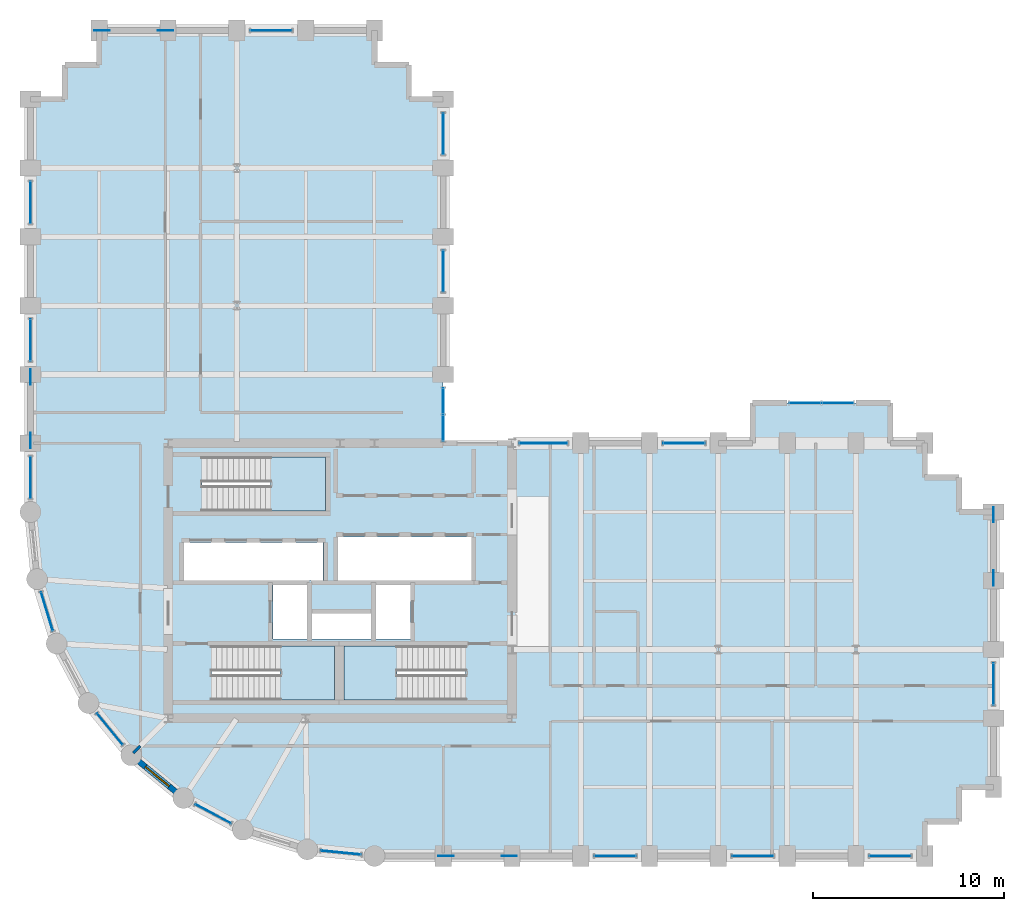
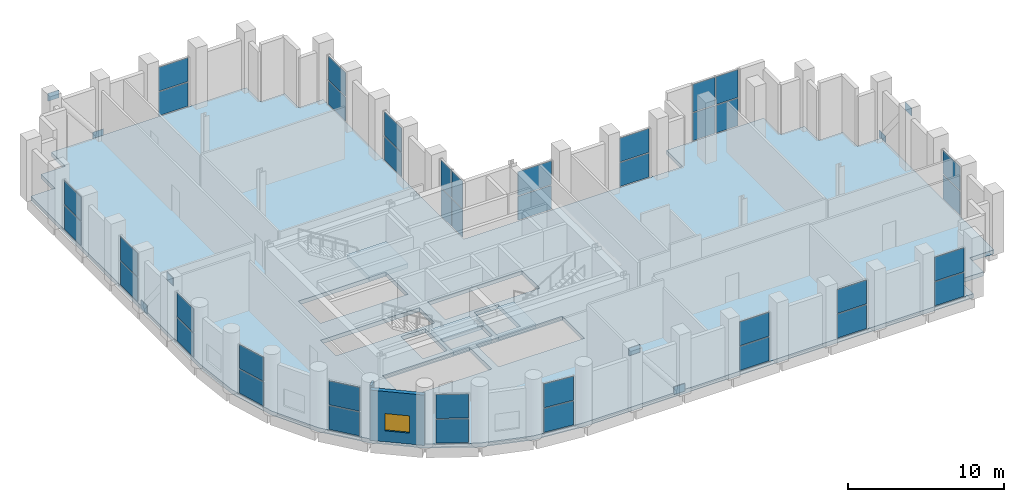
# One storey, part 17 of 22: 48 plates, 4 slabs, 2 walls, 1 window, 1 opening, 21 elements without a shape of their own.
"""IFC4 building model written with IfcOpenShell, lengths in metres."""

from ifc_helpers import new_model, si_unit, direction, frame, frame_2d, origin, origin_2d, place, context, subcontext, project, spatial, polyline, rectangle, outline, extrude, material, layer, layer_set, type_object, element, fill, aggregate, save


model = new_model("IFC4")

# Units and contexts
model_context = context("Model", 3, precision=1e-05, world=origin(), true_north=direction((0.0, 1.0)))
body_context = subcontext(model_context, "Body", "Model", "MODEL_VIEW")
ifc_project = project(units=[si_unit("LENGTHUNIT", "METRE"), si_unit("AREAUNIT", "SQUARE_METRE"), si_unit("VOLUMEUNIT", "CUBIC_METRE"), si_unit("PLANEANGLEUNIT", "RADIAN"), si_unit("MASSUNIT", "GRAM", prefix="KILO")], contexts=[model_context])

# Site, building, storey
site_placement = place(None, origin())
site = spatial("IfcSite", under=ifc_project, at=site_placement, CompositionType="ELEMENT")
building_placement = place(site_placement, origin())
building = spatial("IfcBuilding", under=site, at=building_placement, Name="Solnavia Interchange Tower", CompositionType="ELEMENT")
storey_placement = place(building_placement, frame((0.0, 0.0, 115.199951171875)))
storey = spatial("IfcBuildingStorey", under=building, at=storey_placement, Name="L28", CompositionType="ELEMENT", Elevation=115.199951171875)

# Curtain wall, plates
ifc_material_1 = material(Name="Aluminium Alloy 6063-T6", Category="aluminium")
ifc_layer_1 = layer(ifc_material_1, 0.27001953125)
ifc_layer_set_1 = layer_set([ifc_layer_1], Name="Aluminium Alloy 6063-T6")
curtain_wall_type = type_object("IfcCurtainWallType", Name="CurtainWall-SkyLobby-CTW4", PredefinedType="NOTDEFINED", material=ifc_layer_set_1)
curtain_wall_1_placement = place(storey_placement, origin())
curtain_wall_1 = element("IfcCurtainWall", 1, at=curtain_wall_1_placement, inside=storey, type_object=curtain_wall_type, Name="CTW-L28-S04 CTW-4 curtain wall", PredefinedType="NOTDEFINED")
ifc_material_2 = material(Name="Double-Glazed Low-E IGU Glass", Category="glass")
ifc_layer_2 = layer(ifc_material_2, 0.035888671875)
ifc_layer_set_2 = layer_set([ifc_layer_2], Name="Double-Glazed Low-E IGU Glass")
plate_type_1 = type_object("IfcPlateType", Name="CW-Panel-Acoustic-36", PredefinedType="CURTAIN_PANEL", material=ifc_layer_set_2)
plate_1_placement = place(storey_placement, frame((37.800048828125, 3.60009765625, 0.06982421875), z_axis=(0.0, 0.0, 1.0), x_axis=(1.0, 0.0, 0.0)))
plate_1 = element("IfcPlate", 2, at=plate_1_placement, type_object=plate_type_1, Name="CTW-4 panel 1.1", PredefinedType="CURTAIN_PANEL", context=body_context, shape_type="SweptSolid", body=[
    extrude(rectangle(XDim=2.159912109375, YDim=0.035888671875, at=origin_2d()), origin(), (0.0, 0.0, 1.0), 1.860107421875),
])
plate_2_placement = place(storey_placement, frame((37.800048828125, 3.60009765625, 2.0), z_axis=(0.0, 0.0, 1.0), x_axis=(1.0, 0.0, 0.0)))
plate_2 = element("IfcPlate", 3, at=plate_2_placement, type_object=plate_type_1, Name="CTW-4 panel 1.2", PredefinedType="CURTAIN_PANEL", context=body_context, shape_type="SweptSolid", body=[
    extrude(rectangle(XDim=2.159912109375, YDim=0.035888671875, at=origin_2d()), origin(), (0.0, 0.0, 1.0), 1.860107421875),
])
aggregate(curtain_wall_1, [plate_1, plate_2])

curtain_wall_2_placement = place(storey_placement, origin())
curtain_wall_2 = element("IfcCurtainWall", 4, at=curtain_wall_2_placement, inside=storey, type_object=curtain_wall_type, Name="CTW-L28-S06 CTW-4 curtain wall", PredefinedType="NOTDEFINED")
plate_3_placement = place(storey_placement, frame((45.0, 3.60009765625, 0.06982421875), z_axis=(0.0, 0.0, 1.0), x_axis=(1.0, 0.0, 0.0)))
plate_3 = element("IfcPlate", 5, at=plate_3_placement, type_object=plate_type_1, Name="CTW-4 panel 1.1", PredefinedType="CURTAIN_PANEL", context=body_context, shape_type="SweptSolid", body=[
    extrude(rectangle(XDim=2.159912109375, YDim=0.035888671875, at=origin_2d()), origin(), (0.0, 0.0, 1.0), 1.860107421875),
])
plate_4_placement = place(storey_placement, frame((45.0, 3.60009765625, 2.0), z_axis=(0.0, 0.0, 1.0), x_axis=(1.0, 0.0, 0.0)))
plate_4 = element("IfcPlate", 6, at=plate_4_placement, type_object=plate_type_1, Name="CTW-4 panel 1.2", PredefinedType="CURTAIN_PANEL", context=body_context, shape_type="SweptSolid", body=[
    extrude(rectangle(XDim=2.159912109375, YDim=0.035888671875, at=origin_2d()), origin(), (0.0, 0.0, 1.0), 1.860107421875),
])
aggregate(curtain_wall_2, [plate_3, plate_4])

curtain_wall_3_placement = place(storey_placement, origin())
curtain_wall_3 = element("IfcCurtainWall", 7, at=curtain_wall_3_placement, inside=storey, type_object=curtain_wall_type, Name="CTW-L28-S08 CTW-4 curtain wall", PredefinedType="NOTDEFINED")
plate_5_placement = place(storey_placement, frame((52.199951171875, 3.60009765625, 0.06982421875), z_axis=(0.0, 0.0, 1.0), x_axis=(1.0, 0.0, 0.0)))
plate_5 = element("IfcPlate", 8, at=plate_5_placement, type_object=plate_type_1, Name="CTW-4 panel 1.1", PredefinedType="CURTAIN_PANEL", context=body_context, shape_type="SweptSolid", body=[
    extrude(rectangle(XDim=2.159912109375, YDim=0.035888671875, at=origin_2d()), origin(), (0.0, 0.0, 1.0), 1.860107421875),
])
plate_6_placement = place(storey_placement, frame((52.199951171875, 3.60009765625, 2.0), z_axis=(0.0, 0.0, 1.0), x_axis=(1.0, 0.0, 0.0)))
plate_6 = element("IfcPlate", 9, at=plate_6_placement, type_object=plate_type_1, Name="CTW-4 panel 1.2", PredefinedType="CURTAIN_PANEL", context=body_context, shape_type="SweptSolid", body=[
    extrude(rectangle(XDim=2.159912109375, YDim=0.035888671875, at=origin_2d()), origin(), (0.0, 0.0, 1.0), 1.860107421875),
])
aggregate(curtain_wall_3, [plate_5, plate_6])

curtain_wall_4_placement = place(storey_placement, origin())
curtain_wall_4 = element("IfcCurtainWall", 10, at=curtain_wall_4_placement, inside=storey, type_object=curtain_wall_type, Name="CTW-L28-S14 CTW-4 curtain wall", PredefinedType="NOTDEFINED")
plate_7_placement = place(storey_placement, frame((57.60009765625, 12.60009765625, 0.06982421875), z_axis=(0.0, 0.0, 1.0), x_axis=(0.0, 1.0, 0.0)))
plate_7 = element("IfcPlate", 11, at=plate_7_placement, type_object=plate_type_1, Name="CTW-4 panel 1.1", PredefinedType="CURTAIN_PANEL", context=body_context, shape_type="SweptSolid", body=[
    extrude(rectangle(XDim=2.159912109375, YDim=0.035888671875, at=origin_2d()), origin(), (0.0, 0.0, 1.0), 1.860107421875),
])
plate_8_placement = place(storey_placement, frame((57.60009765625, 12.60009765625, 2.0), z_axis=(0.0, 0.0, 1.0), x_axis=(0.0, 1.0, 0.0)))
plate_8 = element("IfcPlate", 12, at=plate_8_placement, type_object=plate_type_1, Name="CTW-4 panel 1.2", PredefinedType="CURTAIN_PANEL", context=body_context, shape_type="SweptSolid", body=[
    extrude(rectangle(XDim=2.159912109375, YDim=0.035888671875, at=origin_2d()), origin(), (0.0, 0.0, 1.0), 1.860107421875),
])
aggregate(curtain_wall_4, [plate_7, plate_8])

curtain_wall_5_placement = place(storey_placement, origin())
curtain_wall_5 = element("IfcCurtainWall", 13, at=curtain_wall_5_placement, inside=storey, type_object=curtain_wall_type, Name="CTW-L28-S24 CTW-4 curtain wall", PredefinedType="NOTDEFINED")
plate_9_placement = place(storey_placement, frame((49.449951171875, 27.300048828125, 0.070068359375), z_axis=(0.0, 0.0, 1.0), x_axis=(-1.0, 0.0, 0.0)))
plate_9 = element("IfcPlate", 14, at=plate_9_placement, type_object=plate_type_1, Name="CTW-4 panel 1.1", PredefinedType="CURTAIN_PANEL", context=body_context, shape_type="SweptSolid", body=[
    extrude(rectangle(XDim=1.6201171875, YDim=0.035888671875, at=origin_2d()), origin(), (0.0, 0.0, 1.0), 2.1630859375),
])
plate_10_placement = place(storey_placement, frame((49.449951171875, 27.300048828125, 2.302978515625), z_axis=(0.0, 0.0, 1.0), x_axis=(-1.0, 0.0, 0.0)))
plate_10 = element("IfcPlate", 15, at=plate_10_placement, type_object=plate_type_1, Name="CTW-4 panel 1.2", PredefinedType="CURTAIN_PANEL", context=body_context, shape_type="SweptSolid", body=[
    extrude(rectangle(XDim=1.6201171875, YDim=0.035888671875, at=origin_2d()), origin(), (0.0, 0.0, 1.0), 2.162109375),
])
plate_11_placement = place(storey_placement, frame((47.75, 27.300048828125, 0.070068359375), z_axis=(0.0, 0.0, 1.0), x_axis=(-1.0, 0.0, 0.0)))
plate_11 = element("IfcPlate", 16, at=plate_11_placement, type_object=plate_type_1, Name="CTW-4 panel 2.1", PredefinedType="CURTAIN_PANEL", context=body_context, shape_type="SweptSolid", body=[
    extrude(rectangle(XDim=1.6201171875, YDim=0.035888671875, at=origin_2d()), origin(), (0.0, 0.0, 1.0), 2.1630859375),
])
plate_12_placement = place(storey_placement, frame((47.75, 27.300048828125, 2.302978515625), z_axis=(0.0, 0.0, 1.0), x_axis=(-1.0, 0.0, 0.0)))
plate_12 = element("IfcPlate", 17, at=plate_12_placement, type_object=plate_type_1, Name="CTW-4 panel 2.2", PredefinedType="CURTAIN_PANEL", context=body_context, shape_type="SweptSolid", body=[
    extrude(rectangle(XDim=1.6201171875, YDim=0.035888671875, at=origin_2d()), origin(), (0.0, 0.0, 1.0), 2.162109375),
])
aggregate(curtain_wall_5, [plate_9, plate_10, plate_11, plate_12])

curtain_wall_6_placement = place(storey_placement, origin())
curtain_wall_6 = element("IfcCurtainWall", 18, at=curtain_wall_6_placement, inside=storey, type_object=curtain_wall_type, Name="CTW-L28-S28 CTW-4 curtain wall", PredefinedType="NOTDEFINED")
plate_13_placement = place(storey_placement, frame((41.39990234375, 25.199951171875, 0.06982421875), z_axis=(0.0, 0.0, 1.0), x_axis=(-1.0, 0.0, 0.0)))
plate_13 = element("IfcPlate", 19, at=plate_13_placement, type_object=plate_type_1, Name="CTW-4 panel 1.1", PredefinedType="CURTAIN_PANEL", context=body_context, shape_type="SweptSolid", body=[
    extrude(rectangle(XDim=2.159912109375, YDim=0.035888671875, at=origin_2d()), origin(), (0.0, 0.0, 1.0), 1.860107421875),
])
plate_14_placement = place(storey_placement, frame((41.39990234375, 25.199951171875, 2.0), z_axis=(0.0, 0.0, 1.0), x_axis=(-1.0, 0.0, 0.0)))
plate_14 = element("IfcPlate", 20, at=plate_14_placement, type_object=plate_type_1, Name="CTW-4 panel 1.2", PredefinedType="CURTAIN_PANEL", context=body_context, shape_type="SweptSolid", body=[
    extrude(rectangle(XDim=2.159912109375, YDim=0.035888671875, at=origin_2d()), origin(), (0.0, 0.0, 1.0), 1.860107421875),
])
aggregate(curtain_wall_6, [plate_13, plate_14])

curtain_wall_7_placement = place(storey_placement, origin())
curtain_wall_7 = element("IfcCurtainWall", 21, at=curtain_wall_7_placement, inside=storey, type_object=curtain_wall_type, Name="CTW-L28-S30 CTW-4 curtain wall", PredefinedType="NOTDEFINED")
plate_15_placement = place(storey_placement, frame((34.041748046875, 25.199951171875, 0.06982421875), z_axis=(0.0, 0.0, 1.0), x_axis=(-1.0, 0.0, 0.0)))
plate_15 = element("IfcPlate", 22, at=plate_15_placement, type_object=plate_type_1, Name="CTW-4 panel 1.1", PredefinedType="CURTAIN_PANEL", context=body_context, shape_type="SweptSolid", body=[
    extrude(rectangle(XDim=2.4765625, YDim=0.035888671875, at=origin_2d()), origin(), (0.0, 0.0, 1.0), 1.860107421875),
])
plate_16_placement = place(storey_placement, frame((34.041748046875, 25.199951171875, 2.0), z_axis=(0.0, 0.0, 1.0), x_axis=(-1.0, 0.0, 0.0)))
plate_16 = element("IfcPlate", 23, at=plate_16_placement, type_object=plate_type_1, Name="CTW-4 panel 1.2", PredefinedType="CURTAIN_PANEL", context=body_context, shape_type="SweptSolid", body=[
    extrude(rectangle(XDim=2.4765625, YDim=0.035888671875, at=origin_2d()), origin(), (0.0, 0.0, 1.0), 1.860107421875),
])
aggregate(curtain_wall_7, [plate_15, plate_16])

curtain_wall_8_placement = place(storey_placement, origin())
curtain_wall_8 = element("IfcCurtainWall", 24, at=curtain_wall_8_placement, inside=storey, type_object=curtain_wall_type, Name="CTW-L28-S32 CTW-4 curtain wall", PredefinedType="NOTDEFINED")
plate_17_placement = place(storey_placement, frame((28.800048828125, 26.0048828125, 0.070068359375), z_axis=(0.0, 0.0, 1.0), x_axis=(0.0, 1.0, 0.0)))
plate_17 = element("IfcPlate", 25, at=plate_17_placement, type_object=plate_type_1, Name="CTW-4 panel 1.1", PredefinedType="CURTAIN_PANEL", context=body_context, shape_type="SweptSolid", body=[
    extrude(rectangle(XDim=1.330078125, YDim=0.035888671875, at=origin_2d()), origin(), (0.0, 0.0, 1.0), 2.1630859375),
])
plate_18_placement = place(storey_placement, frame((28.800048828125, 26.0048828125, 2.302978515625), z_axis=(0.0, 0.0, 1.0), x_axis=(0.0, 1.0, 0.0)))
plate_18 = element("IfcPlate", 26, at=plate_18_placement, type_object=plate_type_1, Name="CTW-4 panel 1.2", PredefinedType="CURTAIN_PANEL", context=body_context, shape_type="SweptSolid", body=[
    extrude(rectangle(XDim=1.330078125, YDim=0.035888671875, at=origin_2d()), origin(), (0.0, 0.0, 1.0), 2.162109375),
])
plate_19_placement = place(storey_placement, frame((28.800048828125, 27.4150390625, 0.070068359375), z_axis=(0.0, 0.0, 1.0), x_axis=(0.0, 1.0, 0.0)))
plate_19 = element("IfcPlate", 27, at=plate_19_placement, type_object=plate_type_1, Name="CTW-4 panel 2.1", PredefinedType="CURTAIN_PANEL", context=body_context, shape_type="SweptSolid", body=[
    extrude(rectangle(XDim=1.330078125, YDim=0.035888671875, at=origin_2d()), origin(), (0.0, 0.0, 1.0), 2.1630859375),
])
plate_20_placement = place(storey_placement, frame((28.800048828125, 27.4150390625, 2.302978515625), z_axis=(0.0, 0.0, 1.0), x_axis=(0.0, 1.0, 0.0)))
plate_20 = element("IfcPlate", 28, at=plate_20_placement, type_object=plate_type_1, Name="CTW-4 panel 2.2", PredefinedType="CURTAIN_PANEL", context=body_context, shape_type="SweptSolid", body=[
    extrude(rectangle(XDim=1.330078125, YDim=0.035888671875, at=origin_2d()), origin(), (0.0, 0.0, 1.0), 2.162109375),
])
aggregate(curtain_wall_8, [plate_17, plate_18, plate_19, plate_20])

curtain_wall_9_placement = place(storey_placement, origin())
curtain_wall_9 = element("IfcCurtainWall", 29, at=curtain_wall_9_placement, inside=storey, type_object=curtain_wall_type, Name="CTW-L28-S34 CTW-4 curtain wall", PredefinedType="NOTDEFINED")
plate_21_placement = place(storey_placement, frame((28.800048828125, 34.199951171875, 0.06982421875), z_axis=(0.0, 0.0, 1.0), x_axis=(0.0, 1.0, 0.0)))
plate_21 = element("IfcPlate", 30, at=plate_21_placement, type_object=plate_type_1, Name="CTW-4 panel 1.1", PredefinedType="CURTAIN_PANEL", context=body_context, shape_type="SweptSolid", body=[
    extrude(rectangle(XDim=2.159912109375, YDim=0.035888671875, at=origin_2d()), origin(), (0.0, 0.0, 1.0), 1.860107421875),
])
plate_22_placement = place(storey_placement, frame((28.800048828125, 34.199951171875, 2.0), z_axis=(0.0, 0.0, 1.0), x_axis=(0.0, 1.0, 0.0)))
plate_22 = element("IfcPlate", 31, at=plate_22_placement, type_object=plate_type_1, Name="CTW-4 panel 1.2", PredefinedType="CURTAIN_PANEL", context=body_context, shape_type="SweptSolid", body=[
    extrude(rectangle(XDim=2.159912109375, YDim=0.035888671875, at=origin_2d()), origin(), (0.0, 0.0, 1.0), 1.860107421875),
])
aggregate(curtain_wall_9, [plate_21, plate_22])

curtain_wall_10_placement = place(storey_placement, origin())
curtain_wall_10 = element("IfcCurtainWall", 32, at=curtain_wall_10_placement, inside=storey, type_object=curtain_wall_type, Name="CTW-L28-S36 CTW-4 curtain wall", PredefinedType="NOTDEFINED")
plate_23_placement = place(storey_placement, frame((28.800048828125, 41.39990234375, 0.06982421875), z_axis=(0.0, 0.0, 1.0), x_axis=(0.0, 1.0, 0.0)))
plate_23 = element("IfcPlate", 33, at=plate_23_placement, type_object=plate_type_1, Name="CTW-4 panel 1.1", PredefinedType="CURTAIN_PANEL", context=body_context, shape_type="SweptSolid", body=[
    extrude(rectangle(XDim=2.159912109375, YDim=0.035888671875, at=origin_2d()), origin(), (0.0, 0.0, 1.0), 1.860107421875),
])
plate_24_placement = place(storey_placement, frame((28.800048828125, 41.39990234375, 2.0), z_axis=(0.0, 0.0, 1.0), x_axis=(0.0, 1.0, 0.0)))
plate_24 = element("IfcPlate", 34, at=plate_24_placement, type_object=plate_type_1, Name="CTW-4 panel 1.2", PredefinedType="CURTAIN_PANEL", context=body_context, shape_type="SweptSolid", body=[
    extrude(rectangle(XDim=2.159912109375, YDim=0.035888671875, at=origin_2d()), origin(), (0.0, 0.0, 1.0), 1.860107421875),
])
aggregate(curtain_wall_10, [plate_23, plate_24])

curtain_wall_11_placement = place(storey_placement, origin())
curtain_wall_11 = element("IfcCurtainWall", 35, at=curtain_wall_11_placement, inside=storey, type_object=curtain_wall_type, Name="CTW-L28-S42 CTW-4 curtain wall", PredefinedType="NOTDEFINED")
plate_25_placement = place(storey_placement, frame((19.800048828125, 46.800048828125, 0.06982421875), z_axis=(0.0, 0.0, 1.0), x_axis=(-1.0, 0.0, 0.0)))
plate_25 = element("IfcPlate", 36, at=plate_25_placement, type_object=plate_type_1, Name="CTW-4 panel 1.1", PredefinedType="CURTAIN_PANEL", context=body_context, shape_type="SweptSolid", body=[
    extrude(rectangle(XDim=2.159912109375, YDim=0.035888671875, at=origin_2d()), origin(), (0.0, 0.0, 1.0), 1.860107421875),
])
plate_26_placement = place(storey_placement, frame((19.800048828125, 46.800048828125, 2.0), z_axis=(0.0, 0.0, 1.0), x_axis=(-1.0, 0.0, 0.0)))
plate_26 = element("IfcPlate", 37, at=plate_26_placement, type_object=plate_type_1, Name="CTW-4 panel 1.2", PredefinedType="CURTAIN_PANEL", context=body_context, shape_type="SweptSolid", body=[
    extrude(rectangle(XDim=2.159912109375, YDim=0.035888671875, at=origin_2d()), origin(), (0.0, 0.0, 1.0), 1.860107421875),
])
aggregate(curtain_wall_11, [plate_25, plate_26])

curtain_wall_12_placement = place(storey_placement, origin())
curtain_wall_12 = element("IfcCurtainWall", 38, at=curtain_wall_12_placement, inside=storey, type_object=curtain_wall_type, Name="CTW-L28-S50 CTW-4 curtain wall", PredefinedType="NOTDEFINED")
plate_27_placement = place(storey_placement, frame((7.199951171875, 37.800048828125, 0.06982421875), z_axis=(0.0, 0.0, 1.0), x_axis=(0.0, -1.0, 0.0)))
plate_27 = element("IfcPlate", 39, at=plate_27_placement, type_object=plate_type_1, Name="CTW-4 panel 1.1", PredefinedType="CURTAIN_PANEL", context=body_context, shape_type="SweptSolid", body=[
    extrude(rectangle(XDim=2.159912109375, YDim=0.035888671875, at=origin_2d()), origin(), (0.0, 0.0, 1.0), 1.860107421875),
])
plate_28_placement = place(storey_placement, frame((7.199951171875, 37.800048828125, 2.0), z_axis=(0.0, 0.0, 1.0), x_axis=(0.0, -1.0, 0.0)))
plate_28 = element("IfcPlate", 40, at=plate_28_placement, type_object=plate_type_1, Name="CTW-4 panel 1.2", PredefinedType="CURTAIN_PANEL", context=body_context, shape_type="SweptSolid", body=[
    extrude(rectangle(XDim=2.159912109375, YDim=0.035888671875, at=origin_2d()), origin(), (0.0, 0.0, 1.0), 1.860107421875),
])
aggregate(curtain_wall_12, [plate_27, plate_28])

curtain_wall_13_placement = place(storey_placement, origin())
curtain_wall_13 = element("IfcCurtainWall", 41, at=curtain_wall_13_placement, inside=storey, type_object=curtain_wall_type, Name="CTW-L28-S52 CTW-4 curtain wall", PredefinedType="NOTDEFINED")
plate_29_placement = place(storey_placement, frame((7.199951171875, 30.60009765625, 0.06982421875), z_axis=(0.0, 0.0, 1.0), x_axis=(0.0, -1.0, 0.0)))
plate_29 = element("IfcPlate", 42, at=plate_29_placement, type_object=plate_type_1, Name="CTW-4 panel 1.1", PredefinedType="CURTAIN_PANEL", context=body_context, shape_type="SweptSolid", body=[
    extrude(rectangle(XDim=2.159912109375, YDim=0.035888671875, at=origin_2d()), origin(), (0.0, 0.0, 1.0), 1.860107421875),
])
plate_30_placement = place(storey_placement, frame((7.199951171875, 30.60009765625, 2.0), z_axis=(0.0, 0.0, 1.0), x_axis=(0.0, -1.0, 0.0)))
plate_30 = element("IfcPlate", 43, at=plate_30_placement, type_object=plate_type_1, Name="CTW-4 panel 1.2", PredefinedType="CURTAIN_PANEL", context=body_context, shape_type="SweptSolid", body=[
    extrude(rectangle(XDim=2.159912109375, YDim=0.035888671875, at=origin_2d()), origin(), (0.0, 0.0, 1.0), 1.860107421875),
])
aggregate(curtain_wall_13, [plate_29, plate_30])

curtain_wall_14_placement = place(storey_placement, origin())
curtain_wall_14 = element("IfcCurtainWall", 44, at=curtain_wall_14_placement, inside=storey, type_object=curtain_wall_type, Name="CTW-L28-S54 CTW-4 curtain wall", PredefinedType="NOTDEFINED")
plate_31_placement = place(storey_placement, frame((7.199951171875, 23.39990234375, 0.06982421875), z_axis=(0.0, 0.0, 1.0), x_axis=(0.0, -1.0, 0.0)))
plate_31 = element("IfcPlate", 45, at=plate_31_placement, type_object=plate_type_1, Name="CTW-4 panel 1.1", PredefinedType="CURTAIN_PANEL", context=body_context, shape_type="SweptSolid", body=[
    extrude(rectangle(XDim=2.159912109375, YDim=0.035888671875, at=origin_2d()), origin(), (0.0, 0.0, 1.0), 1.860107421875),
])
plate_32_placement = place(storey_placement, frame((7.199951171875, 23.39990234375, 2.0), z_axis=(0.0, 0.0, 1.0), x_axis=(0.0, -1.0, 0.0)))
plate_32 = element("IfcPlate", 46, at=plate_32_placement, type_object=plate_type_1, Name="CTW-4 panel 1.2", PredefinedType="CURTAIN_PANEL", context=body_context, shape_type="SweptSolid", body=[
    extrude(rectangle(XDim=2.159912109375, YDim=0.035888671875, at=origin_2d()), origin(), (0.0, 0.0, 1.0), 1.860107421875),
])
aggregate(curtain_wall_14, [plate_31, plate_32])

curtain_wall_15_placement = place(storey_placement, origin())
curtain_wall_15 = element("IfcCurtainWall", 47, at=curtain_wall_15_placement, inside=storey, type_object=curtain_wall_type, Name="CTW-L28-S56 CTW-4 curtain wall", PredefinedType="NOTDEFINED")
plate_33_placement = place(storey_placement, frame((8.05810546875, 16.39990234375, 0.06982421875), z_axis=(0.0, 0.0, 1.0), x_axis=(0.290219748546, -0.956960029235, 0.0)))
plate_33 = element("IfcPlate", 48, at=plate_33_placement, type_object=plate_type_1, Name="CTW-4 panel 1.1", PredefinedType="CURTAIN_PANEL", context=body_context, shape_type="SweptSolid", body=[
    extrude(rectangle(XDim=2.087890625, YDim=0.035888671875, at=origin_2d()), origin(), (0.0, 0.0, 1.0), 1.860107421875),
])
plate_34_placement = place(storey_placement, frame((8.05810546875, 16.39990234375, 2.0), z_axis=(0.0, 0.0, 1.0), x_axis=(0.290219748546, -0.956960029235, 0.0)))
plate_34 = element("IfcPlate", 49, at=plate_34_placement, type_object=plate_type_1, Name="CTW-4 panel 1.2", PredefinedType="CURTAIN_PANEL", context=body_context, shape_type="SweptSolid", body=[
    extrude(rectangle(XDim=2.087890625, YDim=0.035888671875, at=origin_2d()), origin(), (0.0, 0.0, 1.0), 1.860107421875),
])
aggregate(curtain_wall_15, [plate_33, plate_34])

curtain_wall_16_placement = place(storey_placement, origin())
curtain_wall_16 = element("IfcCurtainWall", 50, at=curtain_wall_16_placement, inside=storey, type_object=curtain_wall_type, Name="CTW-L28-S58 CTW-4 curtain wall", PredefinedType="NOTDEFINED")
plate_35_placement = place(storey_placement, frame((11.35302734375, 10.236083984375, 0.06982421875), z_axis=(0.0, 0.0, 1.0), x_axis=(0.634268905033, -0.773112511934, 0.0)))
plate_35 = element("IfcPlate", 51, at=plate_35_placement, type_object=plate_type_1, Name="CTW-4 panel 1.1", PredefinedType="CURTAIN_PANEL", context=body_context, shape_type="SweptSolid", body=[
    extrude(rectangle(XDim=2.088623046875, YDim=0.035888671875, at=origin_2d()), origin(), (0.0, 0.0, 1.0), 1.860107421875),
])
plate_36_placement = place(storey_placement, frame((11.35302734375, 10.236083984375, 2.0), z_axis=(0.0, 0.0, 1.0), x_axis=(0.634268905033, -0.773112511934, 0.0)))
plate_36 = element("IfcPlate", 52, at=plate_36_placement, type_object=plate_type_1, Name="CTW-4 panel 1.2", PredefinedType="CURTAIN_PANEL", context=body_context, shape_type="SweptSolid", body=[
    extrude(rectangle(XDim=2.088623046875, YDim=0.035888671875, at=origin_2d()), origin(), (0.0, 0.0, 1.0), 1.860107421875),
])
aggregate(curtain_wall_16, [plate_35, plate_36])

curtain_wall_17_placement = place(storey_placement, origin())
curtain_wall_17 = element("IfcCurtainWall", 53, at=curtain_wall_17_placement, inside=storey, type_object=curtain_wall_type, Name="CTW-L28-S60 CTW-4 curtain wall", PredefinedType="NOTDEFINED")
plate_37_placement = place(storey_placement, frame((16.756103515625, 5.802001953125, 0.06982421875), z_axis=(0.0, 0.0, 1.0), x_axis=(0.881855164783, -0.471520379566, 0.0)))
plate_37 = element("IfcPlate", 54, at=plate_37_placement, type_object=plate_type_1, Name="CTW-4 panel 1.1", PredefinedType="CURTAIN_PANEL", context=body_context, shape_type="SweptSolid", body=[
    extrude(rectangle(XDim=2.0888671875, YDim=0.035888671875, at=origin_2d()), origin(), (0.0, 0.0, 1.0), 1.860107421875),
])
plate_38_placement = place(storey_placement, frame((16.756103515625, 5.802001953125, 2.0), z_axis=(0.0, 0.0, 1.0), x_axis=(0.881855164783, -0.471520379566, 0.0)))
plate_38 = element("IfcPlate", 55, at=plate_38_placement, type_object=plate_type_1, Name="CTW-4 panel 1.2", PredefinedType="CURTAIN_PANEL", context=body_context, shape_type="SweptSolid", body=[
    extrude(rectangle(XDim=2.0888671875, YDim=0.035888671875, at=origin_2d()), origin(), (0.0, 0.0, 1.0), 1.860107421875),
])
aggregate(curtain_wall_17, [plate_37, plate_38])

curtain_wall_18_placement = place(storey_placement, origin())
curtain_wall_18 = element("IfcCurtainWall", 56, at=curtain_wall_18_placement, inside=storey, type_object=curtain_wall_type, Name="CTW-L28-S62 CTW-4 curtain wall", PredefinedType="NOTDEFINED")
plate_39_placement = place(storey_placement, frame((23.444091796875, 3.77294921875, 0.06982421875), z_axis=(0.0, 0.0, 1.0), x_axis=(0.995177934818, -0.098086074705, 0.0)))
plate_39 = element("IfcPlate", 57, at=plate_39_placement, type_object=plate_type_1, Name="CTW-4 panel 1.1", PredefinedType="CURTAIN_PANEL", context=body_context, shape_type="SweptSolid", body=[
    extrude(rectangle(XDim=2.089111328125, YDim=0.035888671875, at=origin_2d()), origin(), (0.0, 0.0, 1.0), 1.860107421875),
])
plate_40_placement = place(storey_placement, frame((23.444091796875, 3.77294921875, 2.0), z_axis=(0.0, 0.0, 1.0), x_axis=(0.995177934818, -0.098086074705, 0.0)))
plate_40 = element("IfcPlate", 58, at=plate_40_placement, type_object=plate_type_1, Name="CTW-4 panel 1.2", PredefinedType="CURTAIN_PANEL", context=body_context, shape_type="SweptSolid", body=[
    extrude(rectangle(XDim=2.089111328125, YDim=0.035888671875, at=origin_2d()), origin(), (0.0, 0.0, 1.0), 1.860107421875),
])
aggregate(curtain_wall_18, [plate_39, plate_40])

# Plates
ifc_material_3 = material(Name="Steel S460", Category="steel")
ifc_layer_3 = layer(ifc_material_3, 0.035888671875)
ifc_layer_set_3 = layer_set([ifc_layer_3], Name="Steel S460")
plate_type_2 = type_object("IfcPlateType", Name="Plate-Gusset-800x600x36", PredefinedType="USERDEFINED", material=ifc_layer_set_3)
for number, where, z_axis, x_axis, name in (
    (59, (32.260009765625, 3.60009765625, -0.1201171875), (0.0, 0.0, 1.0), (-1.0, 0.0, 0.0), "PLT-L28-GP01 Perimeter brace gusset plate"),
    (60, (28.93994140625, 3.60009765625, 4.070068359375), (0.0, 0.0, 1.0), (-1.0, 0.0, 0.0), "PLT-L28-GP02 Perimeter brace gusset plate"),
    (61, (7.199951171875, 28.659912109375, -0.1201171875), (0.0, 0.0, 1.0), (0.0, -1.0, 0.0), "PLT-L28-GP03 Perimeter brace gusset plate"),
    (62, (7.199951171875, 25.340087890625, 4.070068359375), (0.0, 0.0, 1.0), (0.0, -1.0, 0.0), "PLT-L28-GP04 Perimeter brace gusset plate"),
    (63, (57.60009765625, 21.4599609375, -0.1201171875), (0.0, 0.0, 1.0), (0.0, -1.0, 0.0), "PLT-L28-GP05 Perimeter brace gusset plate"),
    (64, (57.60009765625, 18.139892578125, 4.070068359375), (0.0, 0.0, 1.0), (0.0, -1.0, 0.0), "PLT-L28-GP06 Perimeter brace gusset plate"),
    (65, (14.260009765625, 46.800048828125, -0.1201171875), (0.0, 0.0, 1.0), (-1.0, 0.0, 0.0), "PLT-L28-GP07 Perimeter brace gusset plate"),
    (66, (10.93994140625, 46.800048828125, 4.070068359375), (0.0, 0.0, 1.0), (-1.0, 0.0, 0.0), "PLT-L28-GP08 Perimeter brace gusset plate"),
):
    element("IfcPlate", number, at=place(storey_placement, frame(where, z_axis=z_axis, x_axis=x_axis)), inside=storey, type_object=plate_type_2, Name=name, ObjectType="GUSSET PLATE", PredefinedType="USERDEFINED", context=body_context, shape_type="SweptSolid", body=[
        extrude(rectangle(XDim=0.800048828125, YDim=0.035888671875, at=origin_2d()), origin(), (0.0, 0.0, 1.0), 0.60009765625),
    ])

# Slab
ifc_material_4 = material(Name="Concrete C40/50", Category="concrete")
ifc_layer_4 = layer(ifc_material_4, 0.320068359375)
ifc_layer_set_4 = layer_set([ifc_layer_4], Name="Concrete C40/50")
slab_type_1 = type_object("IfcSlabType", Name="Slab-Special-320", PredefinedType="FLOOR", material=ifc_layer_set_4)
slab_1_placement = place(storey_placement, frame((0.0, 0.0, -0.320068359375)))
element("IfcSlab", 67, at=slab_1_placement, inside=storey, type_object=slab_type_1, Name="SLB-L28-01 Structural floor slab", PredefinedType="FLOOR", context=body_context, shape_type="SweptSolid", body=[
    extrude(outline(polyline([(25.199951171875, 3.60009765625), (54.0, 3.60009765625), (54.0, 5.39990234375), (55.800048828125, 5.39990234375), (55.800048828125, 7.199951171875), (57.60009765625, 7.199951171875), (57.60009765625, 21.60009765625), (55.800048828125, 21.60009765625), (55.800048828125, 23.39990234375), (54.0, 23.39990234375), (54.0, 25.199951171875), (52.199951171875, 25.199951171875), (52.199951171875, 27.300048828125), (45.0, 27.300048828125), (45.0, 25.199951171875), (28.800048828125, 25.199951171875), (28.800048828125, 43.199951171875), (27.0, 43.199951171875), (27.0, 45.0), (25.199951171875, 45.0), (25.199951171875, 46.800048828125), (10.800048828125, 46.800048828125), (10.800048828125, 45.0), (9.0, 45.0), (9.0, 43.199951171875), (7.199951171875, 43.199951171875), (7.199951171875, 21.60009765625), (7.5458984375, 18.087890625), (8.570068359375, 14.7119140625), (10.23388671875, 11.60009765625), (12.471923828125, 8.8720703125), (15.199951171875, 6.634033203125), (18.31201171875, 4.969970703125), (21.68798828125, 3.946044921875), (25.199951171875, 3.60009765625)]), holes=[polyline([(16.675048828125, 11.75), (23.10009765625, 11.75), (23.10009765625, 14.590087890625), (16.675048828125, 14.590087890625), (16.675048828125, 11.75)]), polyline([(23.60009765625, 11.75), (29.97509765625, 11.75), (29.97509765625, 14.590087890625), (23.60009765625, 14.590087890625), (23.60009765625, 11.75)]), polyline([(16.175048828125, 21.64990234375), (22.64990234375, 21.64990234375), (22.64990234375, 24.489990234375), (16.175048828125, 24.489990234375), (16.175048828125, 21.64990234375)]), polyline([(19.8798828125, 14.9599609375), (21.679931640625, 14.9599609375), (21.679931640625, 17.780029296875), (19.8798828125, 17.780029296875), (19.8798828125, 14.9599609375)]), polyline([(25.280029296875, 14.9599609375), (27.080078125, 14.9599609375), (27.080078125, 17.780029296875), (25.280029296875, 17.780029296875), (25.280029296875, 14.9599609375)]), polyline([(21.919921875, 14.9599609375), (25.02001953125, 14.9599609375), (25.02001953125, 16.280029296875), (21.919921875, 16.280029296875), (21.919921875, 14.9599609375)]), polyline([(15.219970703125, 18.02001953125), (22.52001953125, 18.02001953125), (22.52001953125, 20.0), (15.219970703125, 20.0), (15.219970703125, 18.02001953125)]), polyline([(23.300048828125, 18.02001953125), (30.280029296875, 18.02001953125), (30.280029296875, 20.300048828125), (23.300048828125, 20.300048828125), (23.300048828125, 18.02001953125)])]), origin(), (0.0, 0.0, 1.0), 0.320068359375),
])

# Stair, slab
stair_type = type_object("IfcStairType", Name="Stair-Dogleg-RC", PredefinedType="HALF_TURN_STAIR", material=ifc_material_4)
stair_1_placement = place(storey_placement, origin())
stair_1 = element("IfcStair", 68, at=stair_1_placement, inside=storey, type_object=stair_type, Name="L28 Core exit stair 1", PredefinedType="HALF_TURN_STAIR")
ifc_layer_5 = layer(ifc_material_4, 0.35009765625)
ifc_layer_set_5 = layer_set([ifc_layer_5], Name="Concrete C40/50")
slab_type_2 = type_object("IfcSlabType", Name="Slab-StairLanding-350", PredefinedType="LANDING", material=ifc_layer_set_5)
slab_2_placement = place(storey_placement, frame((0.0, 0.0, 2.050048828125)))
slab_2 = element("IfcSlab", 69, at=slab_2_placement, type_object=slab_type_2, Name="ST-1 landing 1", PredefinedType="LANDING", context=body_context, shape_type="SweptSolid", body=[
    extrude(outline(polyline([(20.26806640625, 11.75), (23.10009765625, 11.75), (23.10009765625, 14.590087890625), (20.26806640625, 14.590087890625), (20.26806640625, 11.75)])), origin(), (0.0, 0.0, 1.0), 0.35009765625),
])
aggregate(stair_1, [slab_2])

stair_2_placement = place(storey_placement, origin())
stair_2 = element("IfcStair", 70, at=stair_2_placement, inside=storey, type_object=stair_type, Name="L28 Core exit stair 2", PredefinedType="HALF_TURN_STAIR")
slab_3_placement = place(storey_placement, frame((0.0, 0.0, 2.050048828125)))
slab_3 = element("IfcSlab", 71, at=slab_3_placement, type_object=slab_type_2, Name="ST-2 landing 1", PredefinedType="LANDING", context=body_context, shape_type="SweptSolid", body=[
    extrude(outline(polyline([(23.60009765625, 11.75), (26.382080078125, 11.75), (26.382080078125, 14.590087890625), (23.60009765625, 14.590087890625), (23.60009765625, 11.75)])), origin(), (0.0, 0.0, 1.0), 0.35009765625),
])
aggregate(stair_2, [slab_3])

stair_3_placement = place(storey_placement, origin())
stair_3 = element("IfcStair", 72, at=stair_3_placement, inside=storey, type_object=stair_type, Name="L28 Core exit stair 3", PredefinedType="HALF_TURN_STAIR")
slab_4_placement = place(storey_placement, frame((0.0, 0.0, 2.050048828125)))
slab_4 = element("IfcSlab", 73, at=slab_4_placement, type_object=slab_type_2, Name="ST-3 landing 1", PredefinedType="LANDING", context=body_context, shape_type="SweptSolid", body=[
    extrude(outline(polyline([(19.76806640625, 21.64990234375), (22.64990234375, 21.64990234375), (22.64990234375, 24.489990234375), (19.76806640625, 24.489990234375), (19.76806640625, 21.64990234375)])), origin(), (0.0, 0.0, 1.0), 0.35009765625),
])
aggregate(stair_3, [slab_4])

# Wall, opening, window
ifc_layer_6 = layer(ifc_material_4, 0.300048828125)
ifc_layer_set_6 = layer_set([ifc_layer_6], Name="Concrete C40/50")
wall_type_1 = type_object("IfcWallType", Name="Wall-ExtSpandrel-300", PredefinedType="STANDARD", material=ifc_layer_set_6)
wall_1_placement = place(storey_placement, frame((15.199951171875, 6.634033203125, 0.0), z_axis=(0.0, 0.0, 1.0), x_axis=(-0.773121216285, 0.634258295121, 0.0)))
wall_1 = element("IfcWall", 74, at=wall_1_placement, inside=storey, type_object=wall_type_1, Name="EXW-L28-59 Exterior precast spandrel wall", PredefinedType="STANDARD", context=body_context, shape_type="SweptSolid", body=[
    extrude(rectangle(XDim=3.528564453125, YDim=0.300048828125, at=frame_2d((1.76416015625, 0.0))), origin(), (0.0, 0.0, 1.0), 3.929931640625),
])
opening_placement = place(wall_1_placement, frame((0.964111328125, 0.0, 0.85009765625)))
opening = element("IfcOpeningElement", 75, at=opening_placement, cuts=wall_1, Name="Opening WIN-04", PredefinedType="OPENING", context=body_context, shape_type="SweptSolid", body=[
    extrude(rectangle(XDim=1.60009765625, YDim=1.35009765625, at=frame_2d((0.800048828125, 0.675048828125))), frame((0.0, 0.16015625, 0.0), z_axis=(0.0, -1.0, 0.0), x_axis=(1.0, 0.0, 0.0)), (0.0, 0.0, 1.0), 0.320068359375),
])
ifc_material_5 = material(Name="Thermal-Break Aluminium & Low-E Glass", Category="aluminium")
window_type = type_object("IfcWindowType", Name="Window-Drum-1600x1350", PartitioningType="SINGLE_PANEL", PredefinedType="WINDOW", material=ifc_material_5)
window_placement = place(opening_placement, origin())
window = element("IfcWindow", 76, at=window_placement, inside=storey, type_object=window_type, Name="WIN-L28-59 Facade ribbon window", OverallHeight=1.35009765625, OverallWidth=1.60009765625, PartitioningType="SINGLE_PANEL", PredefinedType="WINDOW", context=body_context, shape_type="SweptSolid", body=[
    extrude(rectangle(XDim=1.60009765625, YDim=1.35009765625, at=frame_2d((0.800048828125, 0.675048828125))), frame((0.0, 0.030029296875, 0.0), z_axis=(0.0, -1.0, 0.0), x_axis=(1.0, 0.0, 0.0)), (0.0, 0.0, 1.0), 0.06005859375),
])
fill(opening, window)

# Wall
ifc_material_6 = material(Name="Gypsum Plasterboard & Steel Stud", Category="steel")
ifc_layer_7 = layer(ifc_material_6, 0.14990234375)
ifc_layer_set_7 = layer_set([ifc_layer_7], Name="Gypsum Plasterboard & Steel Stud")
wall_type_2 = type_object("IfcWallType", Name="Wall-Partition-150", PredefinedType="PARTITIONING", material=ifc_layer_set_7)
wall_2_placement = place(storey_placement, frame((12.949951171875, 9.35009765625, 0.0), z_axis=(0.0, 0.0, 1.0), x_axis=(-0.707106781187, -0.707106781187, 0.0)))
element("IfcWall", 77, at=wall_2_placement, inside=storey, type_object=wall_type_2, Name="PTW-L28-09 Interior partition wall", PredefinedType="PARTITIONING", context=body_context, shape_type="SweptSolid", body=[
    extrude(rectangle(XDim=0.52197265625, YDim=0.14990234375, at=frame_2d((0.260986328125, 0.0))), origin(), (0.0, 0.0, 1.0), 4.090087890625),
])

save(model, "model.ifc")
